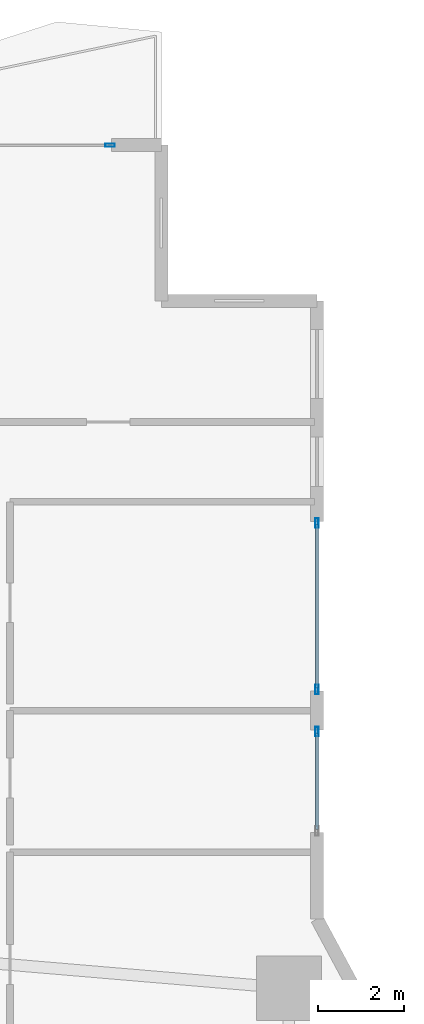
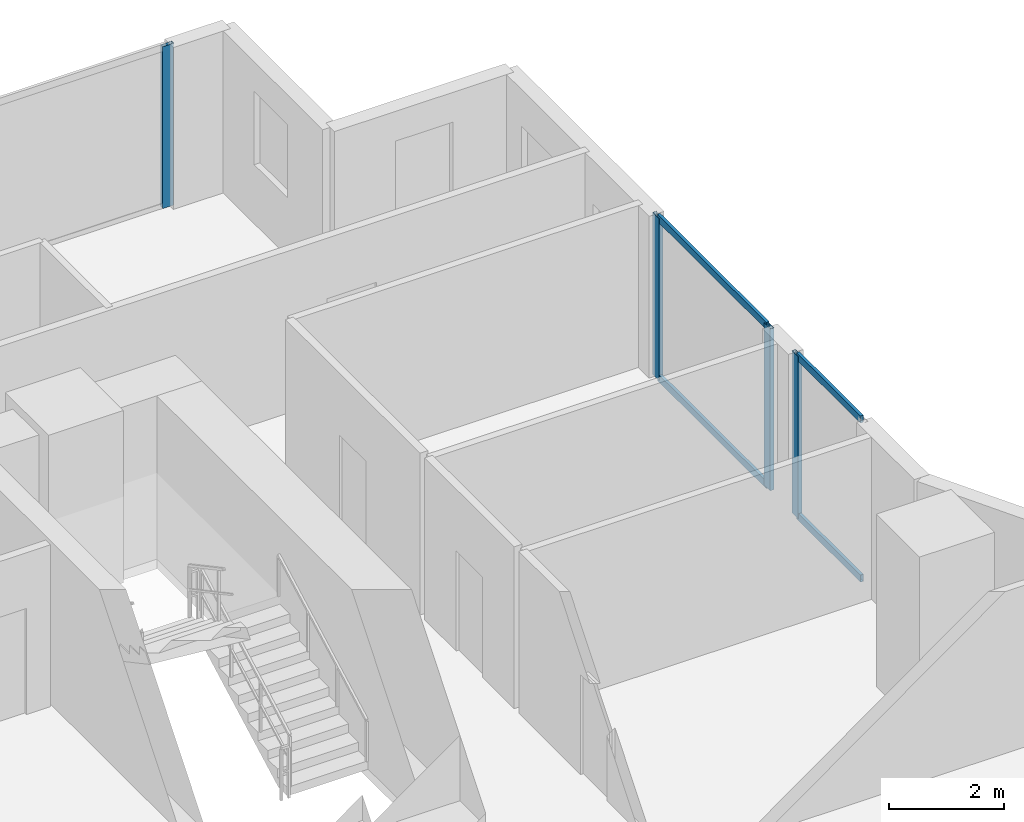
# One storey, part 17 of 29: 8 members, 3 elements without a shape of their own.
"""IFC4 building model written with IfcOpenShell, lengths in metres."""

from ifc_helpers import new_model, si_unit, direction, frame, origin, origin_2d, place, context, subcontext, project, spatial, hollow_rectangle, extrude, material, layer, layer_set, material_profile, profile_set, type_object, element, aggregate, save


model = new_model("IFC4")

# Units and contexts
model_context = context("Model", 3, precision=1e-05, world=origin(), true_north=direction((0.0, 1.0)))
body_context = subcontext(model_context, "Body", "Model", "MODEL_VIEW")
ifc_project = project(units=[si_unit("LENGTHUNIT", "METRE"), si_unit("AREAUNIT", "SQUARE_METRE"), si_unit("VOLUMEUNIT", "CUBIC_METRE"), si_unit("PLANEANGLEUNIT", "RADIAN"), si_unit("MASSUNIT", "GRAM", prefix="KILO")], contexts=[model_context])

# Site, building, storey
site_placement = place(None, origin())
site = spatial("IfcSite", under=ifc_project, at=site_placement, CompositionType="ELEMENT")
building_placement = place(site_placement, origin())
building = spatial("IfcBuilding", under=site, at=building_placement, Name="Zuhayl Quay Hotel", CompositionType="ELEMENT")
storey_placement = place(building_placement, frame((0.0, 0.0, 60.449951171875)))
storey = spatial("IfcBuildingStorey", under=building, at=storey_placement, Name="L14", CompositionType="ELEMENT", Elevation=60.449951171875)

# Curtain wall, member
ifc_material_1 = material(Name="Anodised Aluminium 6063-T6", Category="aluminium")
ifc_layer = layer(ifc_material_1, 0.18994140625, Name="Anodised Aluminium 6063-T6", Category="aluminium")
ifc_layer_set = layer_set([ifc_layer], Name="Anodised Aluminium 6063-T6")
curtain_wall_type = type_object("IfcCurtainWallType", Name="CW_SYS_Z1", PredefinedType="USERDEFINED", material=ifc_layer_set)
curtain_wall_1_placement = place(storey_placement, origin())
curtain_wall_1 = element("IfcCurtainWall", 1, at=curtain_wall_1_placement, inside=storey, type_object=curtain_wall_type, Name="L14 Curtain Wall ENV_L14_N_CW6", ObjectType="UNITISED CURTAIN WALL", PredefinedType="USERDEFINED")
ifc_material_2 = material(Name="Black-anodised aluminium 6063-T6", Category="aluminium")
ifc_material_profile_1 = material_profile(ifc_material_2, hollow_rectangle(XDim=0.074951171875, YDim=0.219970703125, WallThickness=0.00390625, at=origin_2d()), Name="ALU220X75")
ifc_profile_set_1 = profile_set([ifc_material_profile_1], Name="Black-anodised aluminium 6063-T6")
member_type_1 = type_object("IfcMemberType", Name="MB_CW_MUL_220", PredefinedType="MULLION", material=ifc_profile_set_1)
member_1_placement = place(storey_placement, frame((20.91259765625, 23.10009765625, 0.0), z_axis=(0.0, 0.0, 1.0), x_axis=(0.0, 1.0, 0.0)))
member_1 = element("IfcMember", 2, at=member_1_placement, type_object=member_type_1, Name="CW-Z1 mullion 2", PredefinedType="MULLION", context=body_context, shape_type="SweptSolid", body=[
    extrude(hollow_rectangle(XDim=0.074951171875, YDim=0.219970703125, WallThickness=0.00390625, at=origin_2d()), origin(), (0.0, 0.0, 1.0), 3.429931640625),
])
aggregate(curtain_wall_1, [member_1])

# Curtain wall, members
curtain_wall_2_placement = place(storey_placement, origin())
curtain_wall_2 = element("IfcCurtainWall", 3, at=curtain_wall_2_placement, inside=storey, type_object=curtain_wall_type, Name="L14 Curtain Wall ENV_L14_E11_CW1", ObjectType="UNITISED CURTAIN WALL", PredefinedType="USERDEFINED")
member_2_placement = place(storey_placement, frame((25.699951171875, 14.362548828125, 0.0), z_axis=(0.0, 0.0, 1.0), x_axis=(1.0, 0.0, 0.0)))
member_2 = element("IfcMember", 4, at=member_2_placement, type_object=member_type_1, Name="CW-Z1 mullion 1", PredefinedType="MULLION", context=body_context, shape_type="SweptSolid", body=[
    extrude(hollow_rectangle(XDim=0.074951171875, YDim=0.219970703125, WallThickness=0.00390625, at=origin_2d()), origin(), (0.0, 0.0, 1.0), 3.429931640625),
])
member_3_placement = place(storey_placement, frame((25.699951171875, 10.507568359375, 0.0), z_axis=(0.0, 0.0, 1.0), x_axis=(1.0, 0.0, 0.0)))
member_3 = element("IfcMember", 5, at=member_3_placement, type_object=member_type_1, Name="CW-Z1 mullion 2", PredefinedType="MULLION", context=body_context, shape_type="SweptSolid", body=[
    extrude(hollow_rectangle(XDim=0.074951171875, YDim=0.219970703125, WallThickness=0.00390625, at=origin_2d()), origin(), (0.0, 0.0, 1.0), 3.429931640625),
])

# Curtain wall, member
curtain_wall_3_placement = place(storey_placement, origin())
curtain_wall_3 = element("IfcCurtainWall", 6, at=curtain_wall_3_placement, inside=storey, type_object=curtain_wall_type, Name="L14 Curtain Wall ENV_L14_E11_CW2", ObjectType="UNITISED CURTAIN WALL", PredefinedType="USERDEFINED")
member_4_placement = place(storey_placement, frame((25.699951171875, 9.532470703125, 0.0), z_axis=(0.0, 0.0, 1.0), x_axis=(1.0, 0.0, 0.0)))
member_4 = element("IfcMember", 7, at=member_4_placement, type_object=member_type_1, Name="CW-Z1 mullion 1", PredefinedType="MULLION", context=body_context, shape_type="SweptSolid", body=[
    extrude(hollow_rectangle(XDim=0.074951171875, YDim=0.219970703125, WallThickness=0.00390625, at=origin_2d()), origin(), (0.0, 0.0, 1.0), 3.429931640625),
])

# Member
ifc_material_profile_2 = material_profile(ifc_material_2, hollow_rectangle(XDim=0.06005859375, YDim=0.14990234375, WallThickness=0.00341796875, at=origin_2d()), Name="ALU150X60")
ifc_profile_set_2 = profile_set([ifc_material_profile_2], Name="Black-anodised aluminium 6063-T6")
member_type_2 = type_object("IfcMemberType", Name="MB_CW_TRN_150", PredefinedType="USERDEFINED", material=ifc_profile_set_2)
member_5_placement = place(storey_placement, frame((25.699951171875, 14.324951171875, 0.030029296875), z_axis=(0.0, -1.0, 0.0), x_axis=(1.0, 0.0, 0.0)))
member_5 = element("IfcMember", 8, at=member_5_placement, type_object=member_type_2, Name="CW-Z1 transom 1.1", ObjectType="TRANSOM", PredefinedType="USERDEFINED", context=body_context, shape_type="SweptSolid", body=[
    extrude(hollow_rectangle(XDim=0.06005859375, YDim=0.14990234375, WallThickness=0.00341796875, at=origin_2d()), origin(), (0.0, 0.0, 1.0), 3.780029296875),
])

member_6_placement = place(storey_placement, frame((25.699951171875, 14.324951171875, 3.400146484375), z_axis=(0.0, -1.0, 0.0), x_axis=(1.0, 0.0, 0.0)))
member_6 = element("IfcMember", 9, at=member_6_placement, type_object=member_type_2, Name="CW-Z1 transom 1.2", ObjectType="TRANSOM", PredefinedType="USERDEFINED", context=body_context, shape_type="SweptSolid", body=[
    extrude(hollow_rectangle(XDim=0.06005859375, YDim=0.14990234375, WallThickness=0.00341796875, at=origin_2d()), origin(), (0.0, 0.0, 1.0), 3.780029296875),
])

aggregate(curtain_wall_2, [member_2, member_3, member_5, member_6])

member_7_placement = place(storey_placement, frame((25.699951171875, 9.4951171875, 0.030029296875), z_axis=(0.0, -1.0, 0.0), x_axis=(1.0, 0.0, 0.0)))
member_7 = element("IfcMember", 10, at=member_7_placement, type_object=member_type_2, Name="CW-Z1 transom 1.1", ObjectType="TRANSOM", PredefinedType="USERDEFINED", context=body_context, shape_type="SweptSolid", body=[
    extrude(hollow_rectangle(XDim=0.06005859375, YDim=0.14990234375, WallThickness=0.00341796875, at=origin_2d()), origin(), (0.0, 0.0, 1.0), 2.22021484375),
])

member_8_placement = place(storey_placement, frame((25.699951171875, 9.4951171875, 3.400146484375), z_axis=(0.0, -1.0, 0.0), x_axis=(1.0, 0.0, 0.0)))
member_8 = element("IfcMember", 11, at=member_8_placement, type_object=member_type_2, Name="CW-Z1 transom 1.2", ObjectType="TRANSOM", PredefinedType="USERDEFINED", context=body_context, shape_type="SweptSolid", body=[
    extrude(hollow_rectangle(XDim=0.06005859375, YDim=0.14990234375, WallThickness=0.00341796875, at=origin_2d()), origin(), (0.0, 0.0, 1.0), 2.22021484375),
])

aggregate(curtain_wall_3, [member_4, member_7, member_8])

save(model, "model.ifc")
